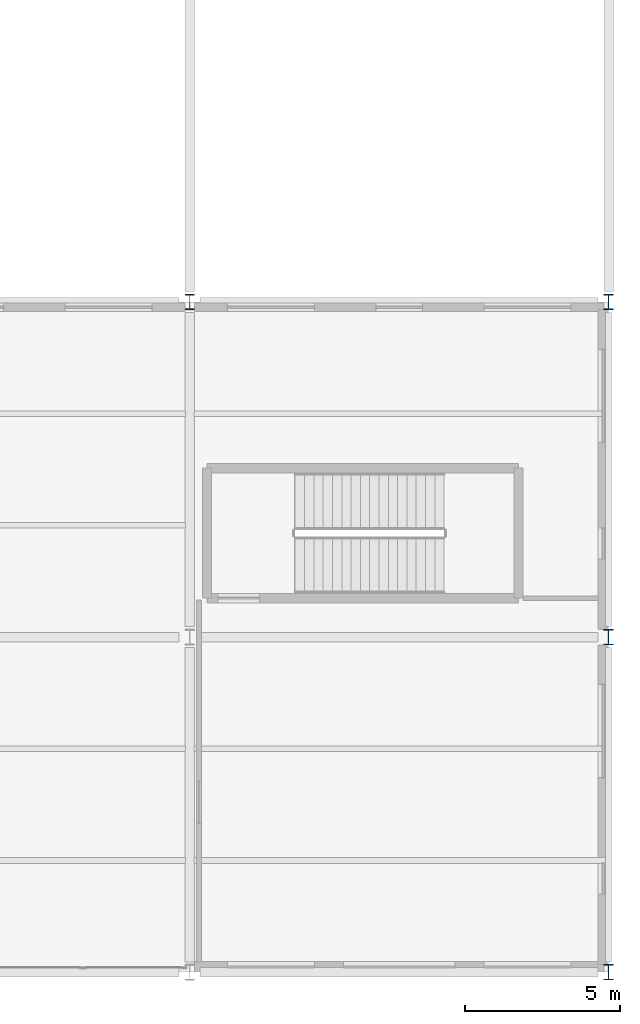
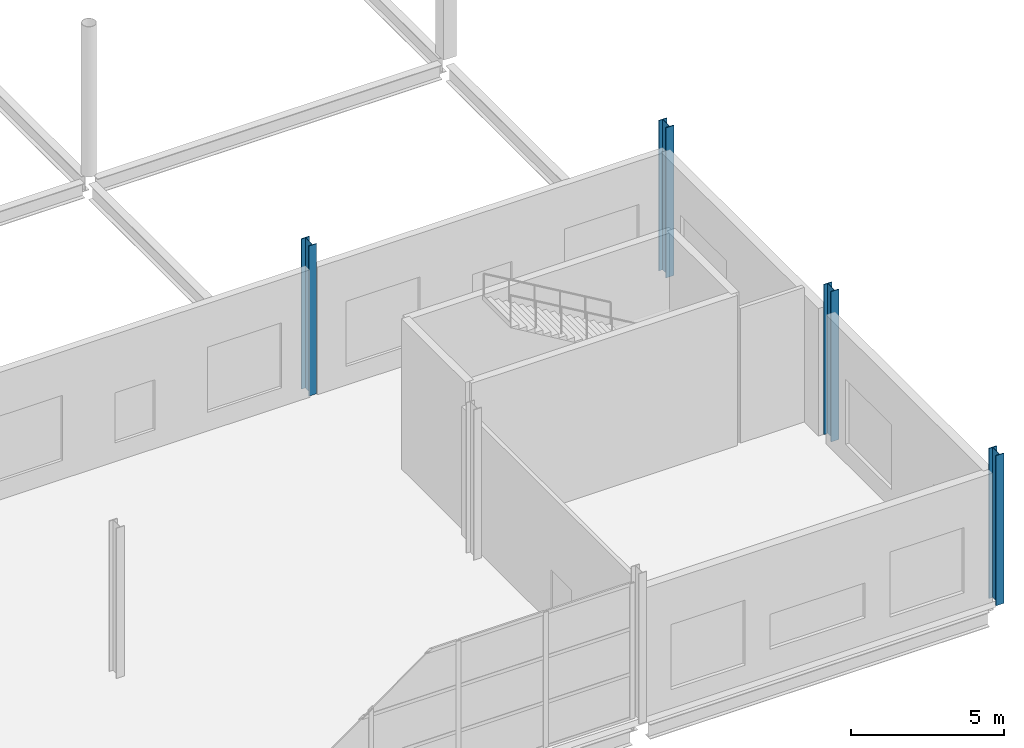
# One storey, part 15 of 191: 4 columns.
"""IFC4 building model written with IfcOpenShell, lengths in metres."""

from ifc_helpers import new_model, si_unit, direction, frame, origin, origin_2d, place, context, subcontext, project, spatial, i_section, extrude, material, material_profile, profile_set, type_object, element, save


model = new_model("IFC4")

# Units and contexts
model_context = context("Model", 3, precision=1e-05, world=origin(), true_north=direction((0.0, 1.0)))
body_context = subcontext(model_context, "Body", "Model", "MODEL_VIEW")
ifc_project = project(units=[si_unit("LENGTHUNIT", "METRE"), si_unit("AREAUNIT", "SQUARE_METRE"), si_unit("VOLUMEUNIT", "CUBIC_METRE"), si_unit("PLANEANGLEUNIT", "RADIAN"), si_unit("MASSUNIT", "GRAM", prefix="KILO")], contexts=[model_context])

# Site, building, storey
site_placement = place(None, origin())
site = spatial("IfcSite", under=ifc_project, at=site_placement, CompositionType="ELEMENT")
building_placement = place(site_placement, origin())
building = spatial("IfcBuilding", under=site, at=building_placement, Name="Tamarisk Ironworks Central Station", CompositionType="ELEMENT")
storey_placement = place(building_placement, frame((0.0, 0.0, 6.60009765625)))
storey = spatial("IfcBuildingStorey", under=building, at=storey_placement, Name="L01", CompositionType="ELEMENT", Elevation=6.60009765625)

# Columns
ifc_material = material(Name="Structural steel S355J2", Category="steel")
ifc_material_profile = material_profile(ifc_material, i_section(OverallWidth=0.300048828125, OverallDepth=0.5, WebThickness=0.014404296875, FlangeThickness=0.028076171875, at=origin_2d()), Name="HEB 500")
ifc_profile_set = profile_set([ifc_material_profile], Name="Structural steel S355J2")
column_type = type_object("IfcColumnType", Name="COL-S07", PredefinedType="COLUMN", material=ifc_profile_set)
for number, where, z_axis, x_axis, name in (
    (1, (166.5, 21.60009765625, 0.0), (0.0, 0.0, 1.0), (1.0, 0.0, 0.0), "L01 column V5S-19C"),
    (2, (180.0, 0.0, 0.0), (0.0, 0.0, 1.0), (1.0, 0.0, 0.0), "L01 column V5S-20A"),
    (3, (180.0, 10.800048828125, 0.0), (0.0, 0.0, 1.0), (1.0, 0.0, 0.0), "L01 column V5S-20B"),
    (4, (180.0, 21.60009765625, 0.0), (0.0, 0.0, 1.0), (1.0, 0.0, 0.0), "L01 column V5S-20C"),
):
    element("IfcColumn", number, at=place(storey_placement, frame(where, z_axis=z_axis, x_axis=x_axis)), inside=storey, type_object=column_type, Name=name, PredefinedType="COLUMN", context=body_context, shape_type="SweptSolid", body=[
        extrude(i_section(OverallWidth=0.300048828125, OverallDepth=0.5, WebThickness=0.014404296875, FlangeThickness=0.028076171875, at=origin_2d()), origin(), (0.0, 0.0, 1.0), 6.0),
    ])

save(model, "model.ifc")
